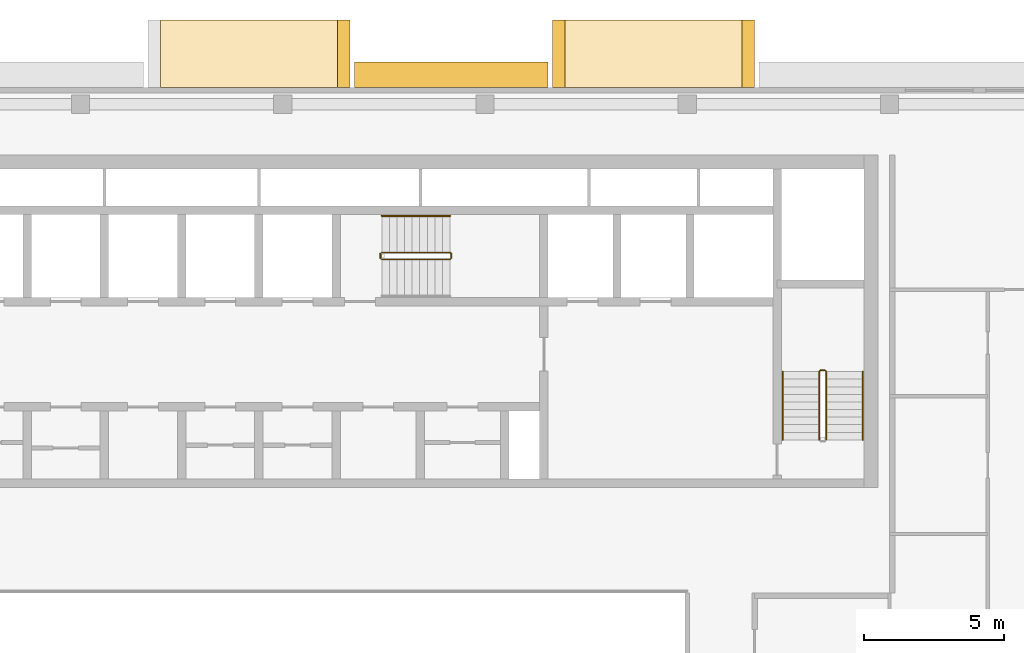
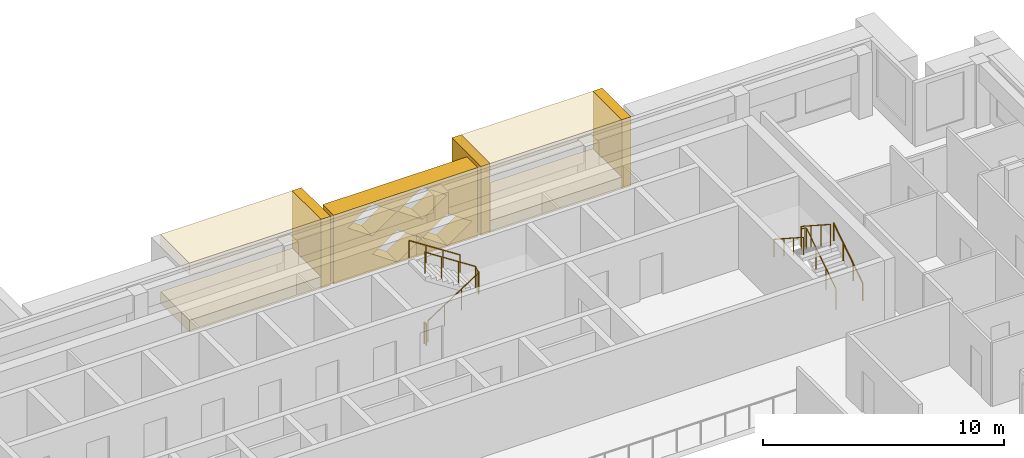
# One storey, part 18 of 19: 8 coverings, 6 railings.
"""IFC4 building model written with IfcOpenShell, lengths in metres."""

from ifc_helpers import new_model, si_unit, direction, frame, origin, origin_2d, place, context, subcontext, project, spatial, polyline, circle, outline, extrude, material, type_object, element, save


model = new_model("IFC4")

# Units and contexts
model_context = context("Model", 3, precision=1e-05, world=origin(), true_north=direction((0.0, 1.0)))
body_context = subcontext(model_context, "Body", "Model", "MODEL_VIEW")
ifc_project = project(units=[si_unit("LENGTHUNIT", "METRE"), si_unit("AREAUNIT", "SQUARE_METRE"), si_unit("VOLUMEUNIT", "CUBIC_METRE"), si_unit("PLANEANGLEUNIT", "RADIAN"), si_unit("MASSUNIT", "GRAM", prefix="KILO")], contexts=[model_context])

# Site, building, storey
site_placement = place(None, origin())
site = spatial("IfcSite", under=ifc_project, at=site_placement, CompositionType="ELEMENT")
building_placement = place(site_placement, origin())
building = spatial("IfcBuilding", under=site, at=building_placement, Name="Saffron Iwan Residences", CompositionType="ELEMENT")
storey_placement = place(building_placement, frame((0.0, 0.0, 250.0)))
storey = spatial("IfcBuildingStorey", under=building, at=storey_placement, Name="L67", CompositionType="ELEMENT", Elevation=250.0)

# Covering
ifc_material_1 = material(Name="Precast concrete C40/50", Category="concrete")
covering_type_1 = type_object("IfcCoveringType", Name="OUTER SKIN LATTICE SCREEN", PredefinedType="CLADDING", material=ifc_material_1)
covering_1_placement = place(storey_placement, frame((59.85009765625, 80.39990234375, -0.280029296875), z_axis=(0.0, 1.0, 0.0), x_axis=(-1.0, 0.0, 0.0)))
element("IfcCovering", 1, at=covering_1_placement, inside=storey, type_object=covering_type_1, Name="OUTER SKIN lattice screen L67 F5.1", PredefinedType="CLADDING", context=body_context, shape_type="SweptSolid", body=[
    extrude(outline(polyline([(0.0, 0.0), (6.89990234375, 0.0), (6.89990234375, 3.5), (0.0, 3.5), (0.0, 0.0)]), holes=[polyline([(0.27001953125, 0.875), (1.449951171875, 0.06005859375), (2.6298828125, 0.875), (1.449951171875, 1.68994140625), (0.27001953125, 0.875)]), polyline([(2.669921875, 0.875), (3.85009765625, 0.06005859375), (5.030029296875, 0.875), (3.85009765625, 1.68994140625), (2.669921875, 0.875)]), polyline([(1.469970703125, 2.625), (2.64990234375, 1.81005859375), (3.830078125, 2.625), (2.64990234375, 3.43994140625), (1.469970703125, 2.625)]), polyline([(3.8701171875, 2.625), (5.050048828125, 1.81005859375), (6.22998046875, 2.625), (5.050048828125, 3.43994140625), (3.8701171875, 2.625)])]), origin(), (0.0, 0.0, 1.0), 0.900146484375),
])

# Railings
ifc_material_2 = material(Name="Steel S355", Category="steel")
railing_type_1 = type_object("IfcRailingType", Name="Stair guard 1100", PredefinedType="GUARDRAIL", material=ifc_material_2)
railing_1_placement = place(storey_placement, frame((53.925048828125, 74.27490234375, 0.175048828125)))
element("IfcRailing", 2, at=railing_1_placement, inside=storey, type_object=railing_type_1, Name="L67 ST-C stair guard 1", PredefinedType="GUARDRAIL", context=body_context, shape_type="SweptSolid", body=[
    extrude(circle(Radius=0.02392578125, at=origin_2d()), frame((0.0, 0.0, 1.076171875), z_axis=(0.839153699163, 0.0, 0.543894354798), x_axis=(0.0, 1.0, 0.0)), (0.0, 0.0, 1.0), 2.895751953125),
    extrude(circle(Radius=0.02392578125, at=origin_2d()), frame((2.429931640625, 0.0, 2.65087890625), z_axis=(0.707106781187, 0.707106781187, 0.0), x_axis=(-0.707106781187, 0.707106781187, 0.0)), (0.0, 0.0, 1.0), 0.07080078125),
    extrude(circle(Radius=0.02392578125, at=origin_2d()), frame((2.47998046875, 0.050048828125, 2.65087890625), z_axis=(0.0, 1.0, 0.0), x_axis=(-1.0, 0.0, 0.0)), (0.0, 0.0, 1.0), 0.150146484375),
    extrude(circle(Radius=0.02392578125, at=origin_2d()), frame((2.47998046875, 0.2001953125, 2.65087890625), z_axis=(-0.265155923931, 0.263862480399, 0.927399011991), x_axis=(-0.705375805398, -0.708833529934, 0.0)), (0.0, 0.0, 1.0), 0.188720703125),
    extrude(circle(Radius=0.02392578125, at=origin_2d()), frame((2.429931640625, 0.25, 2.826171875), z_axis=(-0.839153699163, 0.0, 0.543894354798), x_axis=(0.0, -1.0, 0.0)), (0.0, 0.0, 1.0), 2.895751953125),
    extrude(circle(Radius=0.02099609375, at=origin_2d()), origin(), (0.0, 0.0, 1.0), 1.052001953125),
    extrude(circle(Radius=0.02099609375, at=origin_2d()), frame((0.81005859375, 0.0, 0.52490234375)), (0.0, 0.0, 1.0), 1.052001953125),
    extrude(circle(Radius=0.02099609375, at=origin_2d()), frame((1.619873046875, 0.0, 1.050048828125)), (0.0, 0.0, 1.0), 1.052001953125),
    extrude(circle(Radius=0.02099609375, at=origin_2d()), frame((2.429931640625, 0.0, 1.574951171875)), (0.0, 0.0, 1.0), 1.052001953125),
    extrude(circle(Radius=0.02099609375, at=origin_2d()), frame((2.47998046875, 0.050048828125, 1.574951171875)), (0.0, 0.0, 1.0), 1.052001953125),
    extrude(circle(Radius=0.02099609375, at=origin_2d()), frame((2.47998046875, 0.2001953125, 1.574951171875)), (0.0, 0.0, 1.0), 1.052001953125),
    extrude(circle(Radius=0.02099609375, at=origin_2d()), frame((2.429931640625, 0.25, 1.75)), (0.0, 0.0, 1.0), 1.052001953125),
    extrude(circle(Radius=0.02099609375, at=origin_2d()), frame((1.619873046875, 0.25, 2.27490234375)), (0.0, 0.0, 1.0), 1.052001953125),
    extrude(circle(Radius=0.02099609375, at=origin_2d()), frame((0.81005859375, 0.25, 2.800048828125)), (0.0, 0.0, 1.0), 1.052001953125),
    extrude(circle(Radius=0.02099609375, at=origin_2d()), frame((0.0, 0.25, 3.324951171875)), (0.0, 0.0, 1.0), 1.052001953125),
])
railing_2_placement = place(storey_placement, frame((53.875, 74.324951171875, 0.0)))
element("IfcRailing", 3, at=railing_2_placement, inside=storey, type_object=railing_type_1, Name="L67 ST-C stair guard 2", PredefinedType="GUARDRAIL", context=body_context, shape_type="SweptSolid", body=[
    extrude(circle(Radius=0.02392578125, at=origin_2d()), frame((0.0, 0.0, 1.076171875), z_axis=(0.0, 1.0, 0.0), x_axis=(-1.0, 0.0, 0.0)), (0.0, 0.0, 1.0), 0.150146484375),
    extrude(circle(Radius=0.02099609375, at=origin_2d()), origin(), (0.0, 0.0, 1.0), 1.052001953125),
    extrude(circle(Radius=0.02099609375, at=origin_2d()), frame((0.0, 0.150146484375, 0.0)), (0.0, 0.0, 1.0), 1.052001953125),
])
railing_3_placement = place(storey_placement, frame((69.75, 67.85009765625, 0.175048828125)))
element("IfcRailing", 4, at=railing_3_placement, inside=storey, type_object=railing_type_1, Name="L67 ST-E stair guard 1", PredefinedType="GUARDRAIL", context=body_context, shape_type="SweptSolid", body=[
    extrude(circle(Radius=0.02392578125, at=origin_2d()), frame((0.0, 0.0, 1.076171875), z_axis=(0.0, 0.839153699163, 0.543894354798), x_axis=(-1.0, 0.0, 0.0)), (0.0, 0.0, 1.0), 2.895751953125),
    extrude(circle(Radius=0.02392578125, at=origin_2d()), frame((0.0, 2.429931640625, 2.65087890625), z_axis=(-0.707106781187, 0.707106781187, 0.0), x_axis=(-0.707106781187, -0.707106781187, 0.0)), (0.0, 0.0, 1.0), 0.07080078125),
    extrude(circle(Radius=0.02392578125, at=origin_2d()), frame((-0.050048828125, 2.47998046875, 2.65087890625), z_axis=(-1.0, 0.0, 0.0), x_axis=(0.0, -1.0, 0.0)), (0.0, 0.0, 1.0), 0.14990234375),
    extrude(circle(Radius=0.02392578125, at=origin_2d()), frame((-0.199951171875, 2.47998046875, 2.65087890625), z_axis=(-0.265065253269, -0.265065253269, 0.927081885822), x_axis=(0.707106781187, -0.707106781187, 0.0)), (0.0, 0.0, 1.0), 0.188720703125),
    extrude(circle(Radius=0.02392578125, at=origin_2d()), frame((-0.25, 2.429931640625, 2.826171875), z_axis=(0.0, -0.839153699163, 0.543894354798), x_axis=(1.0, 0.0, 0.0)), (0.0, 0.0, 1.0), 2.895751953125),
    extrude(circle(Radius=0.02099609375, at=origin_2d()), origin(), (0.0, 0.0, 1.0), 1.052001953125),
    extrude(circle(Radius=0.02099609375, at=origin_2d()), frame((0.0, 0.81005859375, 0.52490234375)), (0.0, 0.0, 1.0), 1.052001953125),
    extrude(circle(Radius=0.02099609375, at=origin_2d()), frame((0.0, 1.619873046875, 1.050048828125)), (0.0, 0.0, 1.0), 1.052001953125),
    extrude(circle(Radius=0.02099609375, at=origin_2d()), frame((0.0, 2.429931640625, 1.574951171875)), (0.0, 0.0, 1.0), 1.052001953125),
    extrude(circle(Radius=0.02099609375, at=origin_2d()), frame((-0.050048828125, 2.47998046875, 1.574951171875)), (0.0, 0.0, 1.0), 1.052001953125),
    extrude(circle(Radius=0.02099609375, at=origin_2d()), frame((-0.199951171875, 2.47998046875, 1.574951171875)), (0.0, 0.0, 1.0), 1.052001953125),
    extrude(circle(Radius=0.02099609375, at=origin_2d()), frame((-0.25, 2.429931640625, 1.75)), (0.0, 0.0, 1.0), 1.052001953125),
    extrude(circle(Radius=0.02099609375, at=origin_2d()), frame((-0.25, 1.619873046875, 2.27490234375)), (0.0, 0.0, 1.0), 1.052001953125),
    extrude(circle(Radius=0.02099609375, at=origin_2d()), frame((-0.25, 0.81005859375, 2.800048828125)), (0.0, 0.0, 1.0), 1.052001953125),
    extrude(circle(Radius=0.02099609375, at=origin_2d()), frame((-0.25, 0.0, 3.324951171875)), (0.0, 0.0, 1.0), 1.052001953125),
])
ifc_material_3 = material(Name="Stainless steel 316", Category="steel")
railing_type_2 = type_object("IfcRailingType", Name="Stair handrail 900", PredefinedType="HANDRAIL", material=ifc_material_3)
railing_4_placement = place(storey_placement, frame((56.35498046875, 75.824951171875, 1.925048828125)))
element("IfcRailing", 5, at=railing_4_placement, inside=storey, type_object=railing_type_2, Name="L67 ST-C stair handrail 2", PredefinedType="HANDRAIL", context=body_context, shape_type="SweptSolid", body=[
    extrude(circle(Radius=0.02392578125, at=origin_2d()), frame((0.0, 0.0, 0.8759765625), z_axis=(-0.839153699163, 0.0, 0.543894354798), x_axis=(0.0, -1.0, 0.0)), (0.0, 0.0, 1.0), 2.895751953125),
    extrude(circle(Radius=0.02099609375, at=origin_2d()), origin(), (0.0, 0.0, 1.0), 0.851806640625),
    extrude(circle(Radius=0.02099609375, at=origin_2d()), frame((-0.81005859375, 0.0, 0.52490234375)), (0.0, 0.0, 1.0), 0.851806640625),
    extrude(circle(Radius=0.02099609375, at=origin_2d()), frame((-1.619873046875, 0.0, 1.050048828125)), (0.0, 0.0, 1.0), 0.851806640625),
    extrude(circle(Radius=0.02099609375, at=origin_2d()), frame((-2.429931640625, 0.0, 1.574951171875)), (0.0, 0.0, 1.0), 0.851806640625),
])
railing_5_placement = place(storey_placement, frame((71.050048828125, 67.85009765625, 0.175048828125)))
element("IfcRailing", 6, at=railing_5_placement, inside=storey, type_object=railing_type_2, Name="L67 ST-E stair handrail 1", PredefinedType="HANDRAIL", context=body_context, shape_type="SweptSolid", body=[
    extrude(circle(Radius=0.02392578125, at=origin_2d()), frame((0.0, 0.0, 0.8759765625), z_axis=(0.0, 0.839153699163, 0.543894354798), x_axis=(-1.0, 0.0, 0.0)), (0.0, 0.0, 1.0), 2.895751953125),
    extrude(circle(Radius=0.02099609375, at=origin_2d()), origin(), (0.0, 0.0, 1.0), 0.851806640625),
    extrude(circle(Radius=0.02099609375, at=origin_2d()), frame((0.0, 0.81005859375, 0.52490234375)), (0.0, 0.0, 1.0), 0.851806640625),
    extrude(circle(Radius=0.02099609375, at=origin_2d()), frame((0.0, 1.619873046875, 1.050048828125)), (0.0, 0.0, 1.0), 0.851806640625),
    extrude(circle(Radius=0.02099609375, at=origin_2d()), frame((0.0, 2.429931640625, 1.574951171875)), (0.0, 0.0, 1.0), 0.851806640625),
])
railing_6_placement = place(storey_placement, frame((68.199951171875, 70.280029296875, 1.925048828125)))
element("IfcRailing", 7, at=railing_6_placement, inside=storey, type_object=railing_type_2, Name="L67 ST-E stair handrail 2", PredefinedType="HANDRAIL", context=body_context, shape_type="SweptSolid", body=[
    extrude(circle(Radius=0.02392578125, at=origin_2d()), frame((0.0, 0.0, 0.8759765625), z_axis=(0.0, -0.839153699163, 0.543894354798), x_axis=(1.0, 0.0, 0.0)), (0.0, 0.0, 1.0), 2.895751953125),
    extrude(circle(Radius=0.02099609375, at=origin_2d()), origin(), (0.0, 0.0, 1.0), 0.851806640625),
    extrude(circle(Radius=0.02099609375, at=origin_2d()), frame((0.0, -0.81005859375, 0.52490234375)), (0.0, 0.0, 1.0), 0.851806640625),
    extrude(circle(Radius=0.02099609375, at=origin_2d()), frame((0.0, -1.619873046875, 1.050048828125)), (0.0, 0.0, 1.0), 0.851806640625),
    extrude(circle(Radius=0.02099609375, at=origin_2d()), frame((0.0, -2.429931640625, 1.574951171875)), (0.0, 0.0, 1.0), 0.851806640625),
])

# Coverings
ifc_material_4 = material(Name="Precast concrete C40/50 white painted", Category="concrete")
covering_type_2 = type_object("IfcCoveringType", Name="WHITE SUN FRAME PRECAST", PredefinedType="CLADDING", material=ifc_material_4)
for number, where, z_axis, x_axis, name in (
    (8, (67.199951171875, 80.39990234375, -0.280029296875), (0.0, 1.0, 0.0), (-1.0, 0.0, 0.0), "Sun frame L67 F5 11.6a"),
    (9, (60.449951171875, 80.39990234375, -0.280029296875), (0.0, 1.0, 0.0), (-1.0, 0.0, 0.0), "Sun frame L67 F5 11.6b"),
):
    element("IfcCovering", number, at=place(storey_placement, frame(where, z_axis=z_axis, x_axis=x_axis)), inside=storey, type_object=covering_type_2, Name=name, PredefinedType="CLADDING", context=body_context, shape_type="SweptSolid", body=[
        extrude(outline(polyline([(0.0, 0.0), (0.449951171875, 0.0), (0.449951171875, 3.5), (0.0, 3.5), (0.0, 0.0)])), origin(), (0.0, 0.0, 1.0), 2.400146484375),
    ])
for number, where, z_axis, x_axis, name in (
    (10, (66.75, 80.39990234375, 2.6201171875), (0.0, 1.0, 0.0), (-1.0, 0.0, 0.0), "Sun frame L67 F5 11.6h"),
    (11, (66.75, 80.39990234375, -0.280029296875), (0.0, 1.0, 0.0), (-1.0, 0.0, 0.0), "Sun frame L67 F5 11.6s"),
):
    element("IfcCovering", number, at=place(storey_placement, frame(where, z_axis=z_axis, x_axis=x_axis)), inside=storey, type_object=covering_type_2, Name=name, PredefinedType="CLADDING", context=body_context, shape_type="SweptSolid", body=[
        extrude(outline(polyline([(0.0, 0.0), (6.300048828125, 0.0), (6.300048828125, 0.60009765625), (0.0, 0.60009765625), (0.0, 0.0)])), origin(), (0.0, 0.0, 1.0), 2.400146484375),
    ])
covering_2_placement = place(storey_placement, frame((52.800048828125, 80.39990234375, -0.280029296875), z_axis=(0.0, 1.0, 0.0), x_axis=(-1.0, 0.0, 0.0)))
element("IfcCovering", 12, at=covering_2_placement, inside=storey, type_object=covering_type_2, Name="Sun frame L67 F5 26.0a", PredefinedType="CLADDING", context=body_context, shape_type="SweptSolid", body=[
    extrude(outline(polyline([(0.0, 0.0), (0.449951171875, 0.0), (0.449951171875, 3.5), (0.0, 3.5), (0.0, 0.0)])), origin(), (0.0, 0.0, 1.0), 2.400146484375),
])
for number, where, z_axis, x_axis, name in (
    (13, (52.35009765625, 80.39990234375, 2.6201171875), (0.0, 1.0, 0.0), (-1.0, 0.0, 0.0), "Sun frame L67 F5 26.0h"),
    (14, (52.35009765625, 80.39990234375, -0.280029296875), (0.0, 1.0, 0.0), (-1.0, 0.0, 0.0), "Sun frame L67 F5 26.0s"),
):
    element("IfcCovering", number, at=place(storey_placement, frame(where, z_axis=z_axis, x_axis=x_axis)), inside=storey, type_object=covering_type_2, Name=name, PredefinedType="CLADDING", context=body_context, shape_type="SweptSolid", body=[
        extrude(outline(polyline([(0.0, 0.0), (6.300048828125, 0.0), (6.300048828125, 0.60009765625), (0.0, 0.60009765625), (0.0, 0.0)])), origin(), (0.0, 0.0, 1.0), 2.400146484375),
    ])

save(model, "model.ifc")
